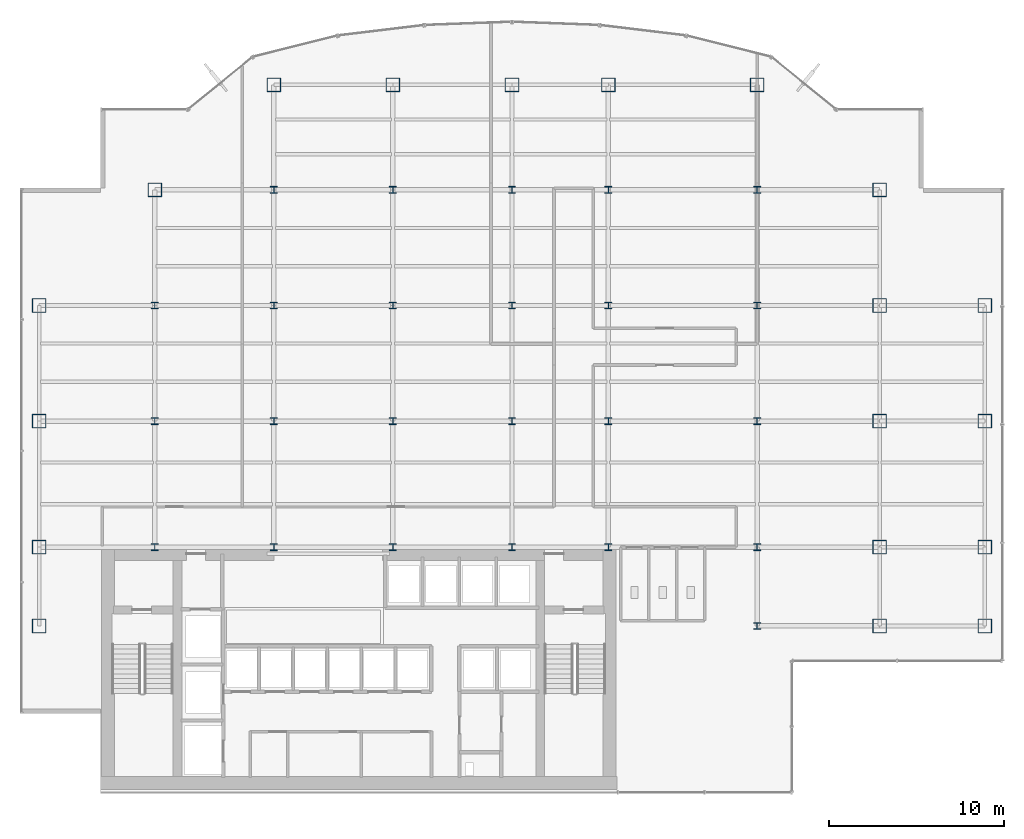
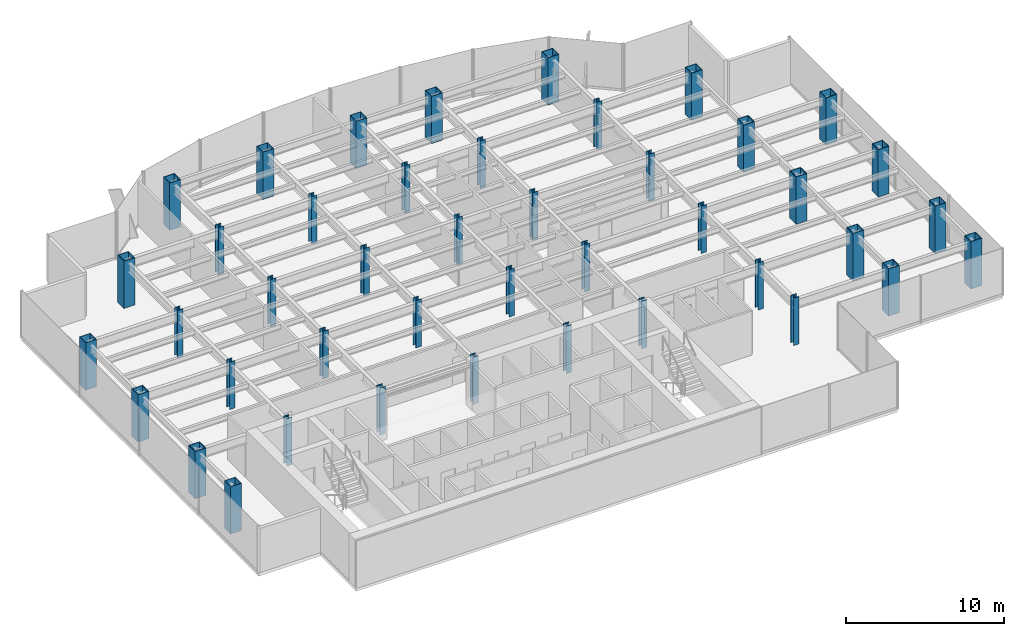
# One storey, part 1 of 26: 43 columns.
"""IFC4 building model written with IfcOpenShell, lengths in metres."""

import ifcopenshell
import ifcopenshell.guid

model = None  # the IFC model being written
_history = None  # IfcOwnerHistory: only IFC2X3 demands one
_inside = {}  # id of a spatial element -> (the spatial element, [elements in it])
_under = {}  # id of a project, library or spatial element -> (it, [spatial elements below it])
_declared = {}  # id of a project -> (the project, [libraries it declares])
_typed = {}  # id of a type object -> (the type object, [elements of that type])
_made_of = {}  # id of a material, layer set ... -> (it, [elements and type objects made of it])


def new_model(schema):
    """Start an empty IFC model of exactly this schema.

    Asked for "IFC4X3", IfcOpenShell would pick the latest addendum, in which some entities
    have other attributes; the version numbers below select the first issue.
    IFC2X3 requires an IfcOwnerHistory on every rooted entity: one is made here for all.
    """
    global model, _history
    if schema == "IFC4X3":
        model = ifcopenshell.file(schema_version=(4, 3, 0, 0))
    else:
        model = ifcopenshell.file(schema=schema)
    _inside.clear()
    _under.clear()
    _declared.clear()
    _typed.clear()
    _made_of.clear()
    _history = None
    if model.schema == "IFC2X3":
        org = make("IfcOrganization", Name="unknown")
        user = make(
            "IfcPersonAndOrganization",
            ThePerson=make("IfcPerson", FamilyName="unknown"),
            TheOrganization=org,
        )
        app = make(
            "IfcApplication",
            ApplicationDeveloper=org,
            Version="unknown",
            ApplicationFullName="unknown",
            ApplicationIdentifier="unknown",
        )
        _history = make(
            "IfcOwnerHistory",
            OwningUser=user,
            OwningApplication=app,
            ChangeAction="ADDED",
            CreationDate=0,
        )
    return model


def make(cls, **values):
    """One entity of the class cls with the attributes given. An attribute that is None is left unset."""
    return model.create_entity(
        cls, **{name: value for name, value in values.items() if value is not None}
    )


def rooted(cls, **values):
    """An entity with a GlobalId (a new one), such as an element, a storey or a relation."""
    return make(cls, GlobalId=ifcopenshell.guid.new(), OwnerHistory=_history, **values)


def si_unit(unit_type, name, prefix=None):
    """IfcSIUnit, for example si_unit("LENGTHUNIT", "METRE", prefix="MILLI")."""
    return make("IfcSIUnit", UnitType=unit_type, Prefix=prefix, Name=name)


def derived_unit(unit_type, elements):
    """IfcDerivedUnit: a product of units, each with its exponent."""
    return make(
        "IfcDerivedUnit",
        Elements=[
            make("IfcDerivedUnitElement", Unit=unit, Exponent=power)
            for unit, power in elements
        ],
        UnitType=unit_type,
    )


def assignment(units):
    """IfcUnitAssignment: the units of a project."""
    return None if units is None else make("IfcUnitAssignment", Units=units)


def point(xyz):
    """IfcCartesianPoint."""
    return None if xyz is None else make("IfcCartesianPoint", Coordinates=xyz)


def direction(xyz):
    """IfcDirection."""
    return None if xyz is None else make("IfcDirection", DirectionRatios=xyz)


def frame(location, z_axis=None, x_axis=None):
    """IfcAxis2Placement3D, a coordinate frame: its origin and axes. An axis left out is left unset."""
    return make(
        "IfcAxis2Placement3D",
        Location=point(location),
        Axis=direction(z_axis),
        RefDirection=direction(x_axis),
    )


def frame_2d(location, x_axis=None):
    """IfcAxis2Placement2D, a coordinate frame in the plane: its origin and x axis."""
    return make(
        "IfcAxis2Placement2D", Location=point(location), RefDirection=direction(x_axis)
    )


def origin():
    """The frame at (0, 0, 0) with its axes left unset."""
    return frame((0.0, 0.0, 0.0))


def origin_2d():
    """The frame at (0, 0) in the plane with its x axis left unset."""
    return frame_2d((0.0, 0.0))


def place(relative_to, where):
    """IfcLocalPlacement: puts the frame where relative to a parent placement (None: the world)."""
    return make(
        "IfcLocalPlacement", PlacementRelTo=relative_to, RelativePlacement=where
    )


def context(
    kind, dimensions, precision=None, world=None, true_north=None, identifier=None
):
    """IfcGeometricRepresentationContext, for example the 3D "Model" context."""
    return make(
        "IfcGeometricRepresentationContext",
        ContextIdentifier=identifier,
        ContextType=kind,
        CoordinateSpaceDimension=dimensions,
        Precision=precision,
        WorldCoordinateSystem=world,
        TrueNorth=true_north,
    )


def subcontext(parent, identifier, kind, view, scale=None):
    """IfcGeometricRepresentationSubContext, for example "Body" below "Model"."""
    return make(
        "IfcGeometricRepresentationSubContext",
        ContextIdentifier=identifier,
        ContextType=kind,
        ParentContext=parent,
        TargetScale=scale,
        TargetView=view,
    )


def project(units=None, contexts=None):
    """IfcProject with its units and contexts."""
    return rooted(
        "IfcProject",
        Name="project",
        RepresentationContexts=contexts,
        UnitsInContext=assignment(units),
    )


def spatial(cls, under=None, at=None, **own):
    """A site, building, storey or space (cls), placed at a placement, below another one or the project."""
    s = rooted(cls, ObjectPlacement=at, **own)
    if under is not None:
        _under.setdefault(under.id(), (under, []))[1].append(s)
    return s


def profile(cls, at=None, kind="AREA", **sizes):
    """A parametric profile (cls). Its sizes go by their IFC names, for example OverallWidth=200.0."""
    return make(cls, ProfileType=kind, Position=at, **sizes)


def hollow_rectangle(**sizes):
    """IfcRectangleHollowProfileDef."""
    return profile("IfcRectangleHollowProfileDef", **sizes)


def i_section(**sizes):
    """IfcIShapeProfileDef."""
    return profile("IfcIShapeProfileDef", **sizes)


def extrude(swept, where, along, depth):
    """IfcExtrudedAreaSolid: the profile swept, set in the frame where, extruded along a direction by depth."""
    return make(
        "IfcExtrudedAreaSolid",
        SweptArea=swept,
        Position=where,
        ExtrudedDirection=direction(along),
        Depth=depth,
    )


def shape(context_of_items, identifier, shape_type, items):
    """IfcShapeRepresentation: the items that make up one representation, for example the "Body"."""
    return make(
        "IfcShapeRepresentation",
        ContextOfItems=context_of_items,
        RepresentationIdentifier=identifier,
        RepresentationType=shape_type,
        Items=items,
    )


def source(mapping_origin, context_of_items, identifier, shape_type, items):
    """IfcRepresentationMap: a shape defined once, which mapped items show again and again."""
    return make(
        "IfcRepresentationMap",
        MappingOrigin=mapping_origin,
        MappedRepresentation=shape(context_of_items, identifier, shape_type, items),
    )


def transform(
    local_origin,
    x_axis=None,
    y_axis=None,
    z_axis=None,
    scale=None,
    scale2=None,
    scale3=None,
    uniform=True,
):
    """IfcCartesianTransformationOperator3D, or its non-uniform kind. x_axis, y_axis, z_axis: its Axis1, 2, 3."""
    if uniform:
        return make(
            "IfcCartesianTransformationOperator3D",
            Axis1=direction(x_axis),
            Axis2=direction(y_axis),
            LocalOrigin=point(local_origin),
            Scale=scale,
            Axis3=direction(z_axis),
        )
    return make(
        "IfcCartesianTransformationOperator3DnonUniform",
        Axis1=direction(x_axis),
        Axis2=direction(y_axis),
        LocalOrigin=point(local_origin),
        Scale=scale,
        Axis3=direction(z_axis),
        Scale2=scale2,
        Scale3=scale3,
    )


def mapped(mapping_source, mapping_target):
    """IfcMappedItem: shows the shape of a source again, moved by a transform."""
    return make(
        "IfcMappedItem", MappingSource=mapping_source, MappingTarget=mapping_target
    )


def material(Name=None, Category=None):
    """IfcMaterial."""
    return make("IfcMaterial", Name=Name, Category=Category)


def material_profile(
    of_material, cross_section, Name=None, Category=None, Priority=None
):
    """IfcMaterialProfile: a cross section and its material."""
    return make(
        "IfcMaterialProfile",
        Name=Name,
        Material=of_material,
        Profile=cross_section,
        Priority=Priority,
        Category=Category,
    )


def profile_set(profiles, Name=None, composite=None):
    """IfcMaterialProfileSet."""
    return make(
        "IfcMaterialProfileSet",
        Name=Name,
        MaterialProfiles=profiles,
        CompositeProfile=composite,
    )


def made_of(thing, what):
    """Note that an element or type object is made of a material, layer set ...; save() writes the relation."""
    if what is not None:
        _made_of.setdefault(what.id(), (what, []))[1].append(thing)
    return thing


def type_object(cls, material=None, **own):
    """A type object (cls), such as IfcWallType, which elements share."""
    return made_of(rooted(cls, **own), material)


def element(
    cls,
    number,
    at=None,
    inside=None,
    cuts=None,
    type_object=None,
    material=None,
    context=None,
    identifier="Body",
    shape_type=None,
    held_by="IfcProductDefinitionShape",
    body=None,
    shapes=None,
    **own,
):
    """One element of the class cls, such as IfcWall. Its Tag is "e" and its number.

    at: its placement. inside: the storey or other place that contains it. cuts: it is an
    opening in that element (IfcRelVoidsElement). A single representation is given by context,
    identifier, shape_type and body (its items); several are given by shapes. held_by: the class
    of the entity that holds the representations. save() writes the other relations.
    """
    e = rooted(cls, Tag="e%d" % number, ObjectPlacement=at, **own)
    if body is not None:
        shapes = [shape(context, identifier, shape_type, body)]
    if shapes is not None:
        e.Representation = make(held_by, Representations=shapes)
    if inside is not None:
        _inside.setdefault(inside.id(), (inside, []))[1].append(e)
    if cuts is not None:
        rooted(
            "IfcRelVoidsElement", RelatingBuildingElement=cuts, RelatedOpeningElement=e
        )
    if type_object is not None:
        _typed.setdefault(type_object.id(), (type_object, []))[1].append(e)
    return made_of(e, material)


def aggregate(whole, parts):
    """IfcRelAggregates: a whole, such as a stair, and the parts it consists of."""
    return rooted("IfcRelAggregates", RelatingObject=whole, RelatedObjects=parts)


def save(model, path):
    """Write the relations noted so far, then the file.

    IfcRelAggregates (storeys below a building ...), IfcRelContainedInSpatialStructure (elements
    in a storey), IfcRelDefinesByType, IfcRelAssociatesMaterial and IfcRelDeclares: one each for
    every whole, place, type object, material and project.
    """
    for whole, parts in _under.values():
        aggregate(whole, parts)
    for where, things in _inside.values():
        rooted(
            "IfcRelContainedInSpatialStructure",
            RelatedElements=things,
            RelatingStructure=where,
        )
    for kind, things in _typed.values():
        rooted("IfcRelDefinesByType", RelatedObjects=things, RelatingType=kind)
    for what, things in _made_of.values():
        rooted("IfcRelAssociatesMaterial", RelatedObjects=things, RelatingMaterial=what)
    for by, libraries in _declared.values():
        rooted("IfcRelDeclares", RelatingContext=by, RelatedDefinitions=libraries)
    model.write(path)


model = new_model("IFC4")

# Units and contexts
model_context = context("Model", 3, precision=1e-05, world=origin(), true_north=direction((0.0, 1.0)))
body_context = subcontext(model_context, "Body", "Model", "MODEL_VIEW")
ifc_project = project(units=[si_unit("LENGTHUNIT", "METRE"), si_unit("AREAUNIT", "SQUARE_METRE"), si_unit("VOLUMEUNIT", "CUBIC_METRE"), si_unit("PLANEANGLEUNIT", "RADIAN"), si_unit("MASSUNIT", "GRAM", prefix="KILO"), derived_unit("THERMALTRANSMITTANCEUNIT", [(si_unit("POWERUNIT", "WATT"), 1), (si_unit("LENGTHUNIT", "METRE"), -2), (si_unit("THERMODYNAMICTEMPERATUREUNIT", "KELVIN"), -1)])], contexts=[model_context])

# Site, building, storey
site_placement = place(None, origin())
site = spatial("IfcSite", under=ifc_project, at=site_placement, CompositionType="ELEMENT")
building_placement = place(site_placement, origin())
building = spatial("IfcBuilding", under=site, at=building_placement, Name="Skarnbrae Concourse Arena and Tower", CompositionType="ELEMENT")
storey_placement = place(building_placement, frame((0.0, 0.0, 99.60009765625)))
storey = spatial("IfcBuildingStorey", under=building, at=storey_placement, Name="L24", CompositionType="ELEMENT", Elevation=99.60009765625)

# Columns
ifc_material = material(Name="Steel CSA G40.21 350W", Category="steel")
ifc_material_profile_1 = material_profile(ifc_material, hollow_rectangle(XDim=0.800048828125, YDim=0.800048828125, WallThickness=0.0400390625, at=origin_2d()), Name="BOX800X800X40")
ifc_profile_set_1 = profile_set([ifc_material_profile_1], Name="Steel CSA G40.21 350W")
column_type_1 = type_object("IfcColumnType", Name="COL-TUBE-BOX800", PredefinedType="COLUMN", material=ifc_profile_set_1)
shared_shape_1 = source(origin(), body_context, "Body", "SweptSolid", [
    extrude(hollow_rectangle(XDim=0.800048828125, YDim=0.800048828125, WallThickness=0.0400390625, at=origin_2d()), origin(), (0.0, 0.0, 1.0), 3.64990234375),
])
for number, where, z_axis, x_axis, name in (
    (1, (1.0, 9.5, 0.0), (0.0, 0.0, 1.0), (1.0, 0.0, 0.0), "L24 Tower column PC_01_01"),
    (2, (1.0, 14.0, 0.0), (0.0, 0.0, 1.0), (1.0, 0.0, 0.0), "L24 Tower column PC_01_02"),
    (3, (1.0, 21.199951171875, 0.0), (0.0, 0.0, 1.0), (1.0, 0.0, 0.0), "L24 Tower column PC_01_03"),
    (4, (1.0, 27.800048828125, 0.0), (0.0, 0.0, 1.0), (1.0, 0.0, 0.0), "L24 Tower column PC_01_04"),
    (5, (7.60009765625, 34.39990234375, 0.0), (0.0, 0.0, 1.0), (1.0, 0.0, 0.0), "L24 Tower column PC_02_05"),
    (6, (14.39990234375, 40.39990234375, 0.0), (0.0, 0.0, 1.0), (1.0, 0.0, 0.0), "L24 Tower column PC_03_06"),
    (7, (21.199951171875, 40.39990234375, 0.0), (0.0, 0.0, 1.0), (1.0, 0.0, 0.0), "L24 Tower column PC_04_06"),
    (8, (28.0, 40.39990234375, 0.0), (0.0, 0.0, 1.0), (1.0, 0.0, 0.0), "L24 Tower column PC_05_06"),
    (9, (33.5, 40.39990234375, 0.0), (0.0, 0.0, 1.0), (1.0, 0.0, 0.0), "L24 Tower column PC_06_06"),
    (10, (42.0, 40.39990234375, 0.0), (0.0, 0.0, 1.0), (1.0, 0.0, 0.0), "L24 Tower column PC_07_06"),
    (11, (49.0, 9.5, 0.0), (0.0, 0.0, 1.0), (1.0, 0.0, 0.0), "L24 Tower column PC_08_01"),
    (12, (49.0, 14.0, 0.0), (0.0, 0.0, 1.0), (1.0, 0.0, 0.0), "L24 Tower column PC_08_02"),
    (13, (49.0, 21.199951171875, 0.0), (0.0, 0.0, 1.0), (1.0, 0.0, 0.0), "L24 Tower column PC_08_03"),
    (14, (49.0, 27.800048828125, 0.0), (0.0, 0.0, 1.0), (1.0, 0.0, 0.0), "L24 Tower column PC_08_04"),
    (15, (49.0, 34.39990234375, 0.0), (0.0, 0.0, 1.0), (1.0, 0.0, 0.0), "L24 Tower column PC_08_05"),
    (16, (55.0, 9.5, 0.0), (0.0, 0.0, 1.0), (1.0, 0.0, 0.0), "L24 Tower column PC_09_01"),
    (17, (55.0, 14.0, 0.0), (0.0, 0.0, 1.0), (1.0, 0.0, 0.0), "L24 Tower column PC_09_02"),
    (18, (55.0, 21.199951171875, 0.0), (0.0, 0.0, 1.0), (1.0, 0.0, 0.0), "L24 Tower column PC_09_03"),
    (19, (55.0, 27.800048828125, 0.0), (0.0, 0.0, 1.0), (1.0, 0.0, 0.0), "L24 Tower column PC_09_04"),
):
    element("IfcColumn", number, at=place(storey_placement, frame(where, z_axis=z_axis, x_axis=x_axis)), inside=storey, type_object=column_type_1, Name=name, PredefinedType="COLUMN", context=body_context, shape_type="MappedRepresentation", body=[
        mapped(shared_shape_1, transform((0.0, 0.0, 0.0))),
    ])
ifc_material_profile_2 = material_profile(ifc_material, i_section(OverallWidth=0.39892578125, OverallDepth=0.39306640625, WebThickness=0.022705078125, FlangeThickness=0.03662109375, at=origin_2d()), Name="W360X287")
ifc_profile_set_2 = profile_set([ifc_material_profile_2], Name="Steel CSA G40.21 350W")
column_type_2 = type_object("IfcColumnType", Name="COL-INT-W360X287", PredefinedType="COLUMN", material=ifc_profile_set_2)
shared_shape_2 = source(origin(), body_context, "Body", "SweptSolid", [
    extrude(i_section(OverallWidth=0.39892578125, OverallDepth=0.39306640625, WebThickness=0.022705078125, FlangeThickness=0.03662109375, at=origin_2d()), origin(), (0.0, 0.0, 1.0), 3.64990234375),
])
for number, where, z_axis, x_axis, name in (
    (20, (7.60009765625, 14.0, 0.0), (0.0, 0.0, 1.0), (1.0, 0.0, 0.0), "L24 Tower column IC_02_02"),
    (21, (7.60009765625, 21.199951171875, 0.0), (0.0, 0.0, 1.0), (1.0, 0.0, 0.0), "L24 Tower column IC_02_03"),
    (22, (7.60009765625, 27.800048828125, 0.0), (0.0, 0.0, 1.0), (1.0, 0.0, 0.0), "L24 Tower column IC_02_04"),
    (23, (14.39990234375, 14.0, 0.0), (0.0, 0.0, 1.0), (1.0, 0.0, 0.0), "L24 Tower column IC_03_02"),
    (24, (14.39990234375, 21.199951171875, 0.0), (0.0, 0.0, 1.0), (1.0, 0.0, 0.0), "L24 Tower column IC_03_03"),
    (25, (14.39990234375, 27.800048828125, 0.0), (0.0, 0.0, 1.0), (1.0, 0.0, 0.0), "L24 Tower column IC_03_04"),
    (26, (14.39990234375, 34.39990234375, 0.0), (0.0, 0.0, 1.0), (1.0, 0.0, 0.0), "L24 Tower column IC_03_05"),
    (27, (21.199951171875, 14.0, 0.0), (0.0, 0.0, 1.0), (1.0, 0.0, 0.0), "L24 Tower column IC_04_02"),
    (28, (21.199951171875, 21.199951171875, 0.0), (0.0, 0.0, 1.0), (1.0, 0.0, 0.0), "L24 Tower column IC_04_03"),
    (29, (21.199951171875, 27.800048828125, 0.0), (0.0, 0.0, 1.0), (1.0, 0.0, 0.0), "L24 Tower column IC_04_04"),
    (30, (21.199951171875, 34.39990234375, 0.0), (0.0, 0.0, 1.0), (1.0, 0.0, 0.0), "L24 Tower column IC_04_05"),
    (31, (28.0, 14.0, 0.0), (0.0, 0.0, 1.0), (1.0, 0.0, 0.0), "L24 Tower column IC_05_02"),
    (32, (28.0, 21.199951171875, 0.0), (0.0, 0.0, 1.0), (1.0, 0.0, 0.0), "L24 Tower column IC_05_03"),
    (33, (28.0, 27.800048828125, 0.0), (0.0, 0.0, 1.0), (1.0, 0.0, 0.0), "L24 Tower column IC_05_04"),
    (34, (28.0, 34.39990234375, 0.0), (0.0, 0.0, 1.0), (1.0, 0.0, 0.0), "L24 Tower column IC_05_05"),
    (35, (33.5, 14.0, 0.0), (0.0, 0.0, 1.0), (1.0, 0.0, 0.0), "L24 Tower column IC_06_02"),
    (36, (33.5, 21.199951171875, 0.0), (0.0, 0.0, 1.0), (1.0, 0.0, 0.0), "L24 Tower column IC_06_03"),
    (37, (33.5, 27.800048828125, 0.0), (0.0, 0.0, 1.0), (1.0, 0.0, 0.0), "L24 Tower column IC_06_04"),
    (38, (33.5, 34.39990234375, 0.0), (0.0, 0.0, 1.0), (1.0, 0.0, 0.0), "L24 Tower column IC_06_05"),
    (39, (42.0, 9.5, 0.0), (0.0, 0.0, 1.0), (1.0, 0.0, 0.0), "L24 Tower column IC_07_01"),
    (40, (42.0, 14.0, 0.0), (0.0, 0.0, 1.0), (1.0, 0.0, 0.0), "L24 Tower column IC_07_02"),
    (41, (42.0, 21.199951171875, 0.0), (0.0, 0.0, 1.0), (1.0, 0.0, 0.0), "L24 Tower column IC_07_03"),
    (42, (42.0, 27.800048828125, 0.0), (0.0, 0.0, 1.0), (1.0, 0.0, 0.0), "L24 Tower column IC_07_04"),
    (43, (42.0, 34.39990234375, 0.0), (0.0, 0.0, 1.0), (1.0, 0.0, 0.0), "L24 Tower column IC_07_05"),
):
    element("IfcColumn", number, at=place(storey_placement, frame(where, z_axis=z_axis, x_axis=x_axis)), inside=storey, type_object=column_type_2, Name=name, PredefinedType="COLUMN", context=body_context, shape_type="MappedRepresentation", body=[
        mapped(shared_shape_2, transform((0.0, 0.0, 0.0))),
    ])

save(model, "model.ifc")
